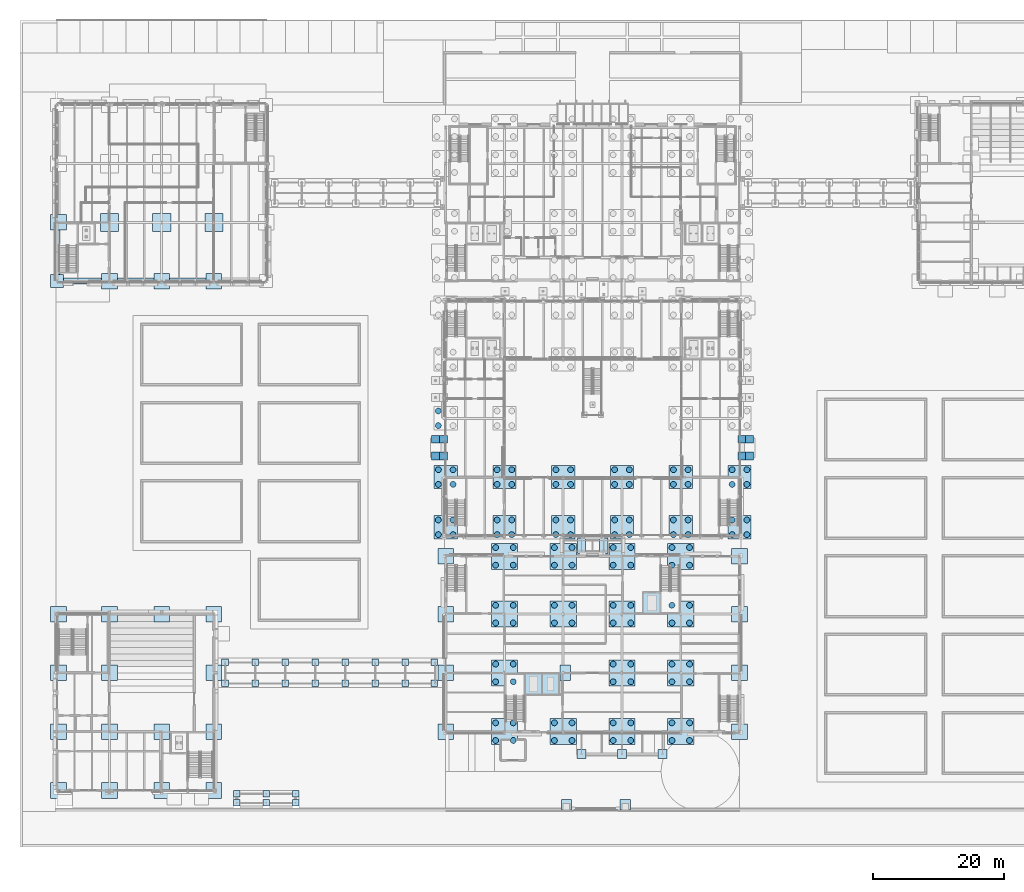
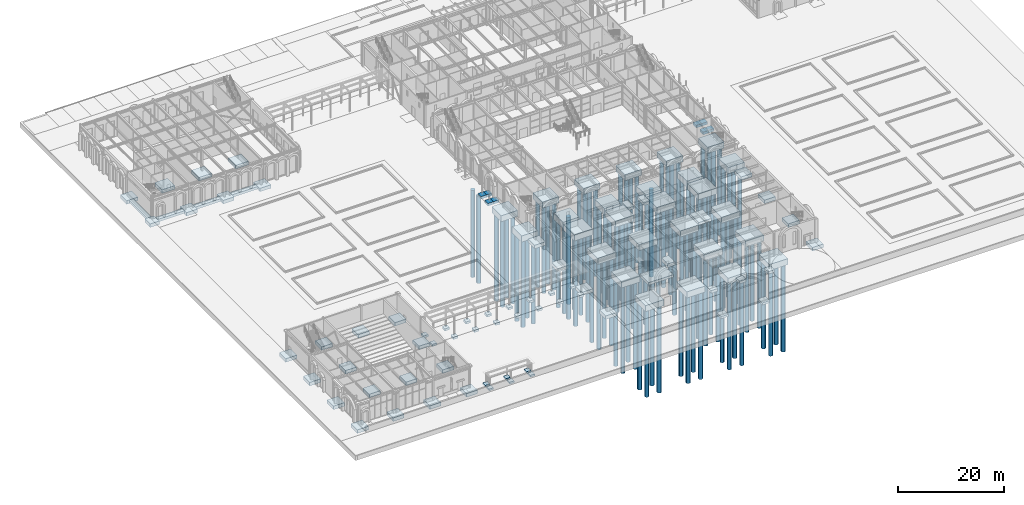
# One storey, part 1 of 126: 110 piles, 102 footings.
"""IFC4 building model written with IfcOpenShell, lengths in metres."""

from ifc_helpers import new_model, si_unit, direction, frame, origin, origin_2d, place, context, subcontext, project, spatial, rectangle, circle, extrude, material, type_object, element, save


model = new_model("IFC4")

# Units and contexts
model_context = context("Model", 3, precision=1e-05, world=origin(), true_north=direction((0.0, 1.0)))
body_context = subcontext(model_context, "Body", "Model", "MODEL_VIEW")
ifc_project = project(units=[si_unit("LENGTHUNIT", "METRE"), si_unit("AREAUNIT", "SQUARE_METRE"), si_unit("VOLUMEUNIT", "CUBIC_METRE"), si_unit("PLANEANGLEUNIT", "RADIAN"), si_unit("MASSUNIT", "GRAM", prefix="KILO")], contexts=[model_context])

# Site, building, storey
site_placement = place(None, origin())
site = spatial("IfcSite", under=ifc_project, at=site_placement, CompositionType="ELEMENT")
building_placement = place(site_placement, origin())
building = spatial("IfcBuilding", under=site, at=building_placement, Name="Kallimachos Central Library", CompositionType="ELEMENT")
storey_placement = place(building_placement, origin())
storey = spatial("IfcBuildingStorey", under=building, at=storey_placement, Name="L00", CompositionType="ELEMENT", Elevation=0.0)

# Piles
ifc_material_1 = material(Name="Concrete C30/37", Category="concrete")
pile_type = type_object("IfcPileType", Name="Bored pile D900", PredefinedType="BORED", material=ifc_material_1)
for number, where, z_axis, x_axis, name in (
    (1, (73.14990234375, 16.64990234375, -1.60009765625), (0.0, 0.0, -1.0), (1.0, 0.0, 0.0), "V5-PIL-L00-001"),
    (2, (73.14990234375, 19.35009765625, -1.60009765625), (0.0, 0.0, -1.0), (1.0, 0.0, 0.0), "V5-PIL-L00-002"),
    (3, (75.85009765625, 16.64990234375, -1.60009765625), (0.0, 0.0, -1.0), (1.0, 0.0, 0.0), "V5-PIL-L00-003"),
    (4, (75.85009765625, 19.35009765625, -1.60009765625), (0.0, 0.0, -1.0), (1.0, 0.0, 0.0), "V5-PIL-L00-004"),
    (5, (82.14990234375, 16.64990234375, -1.60009765625), (0.0, 0.0, -1.0), (1.0, 0.0, 0.0), "V5-PIL-L00-005"),
    (6, (82.14990234375, 19.35009765625, -1.60009765625), (0.0, 0.0, -1.0), (1.0, 0.0, 0.0), "V5-PIL-L00-006"),
    (7, (84.85009765625, 16.64990234375, -1.60009765625), (0.0, 0.0, -1.0), (1.0, 0.0, 0.0), "V5-PIL-L00-007"),
    (8, (84.85009765625, 19.35009765625, -1.60009765625), (0.0, 0.0, -1.0), (1.0, 0.0, 0.0), "V5-PIL-L00-008"),
    (9, (91.14990234375, 16.64990234375, -1.60009765625), (0.0, 0.0, -1.0), (1.0, 0.0, 0.0), "V5-PIL-L00-009"),
    (10, (91.14990234375, 19.35009765625, -1.60009765625), (0.0, 0.0, -1.0), (1.0, 0.0, 0.0), "V5-PIL-L00-010"),
    (11, (93.85009765625, 16.64990234375, -1.60009765625), (0.0, 0.0, -1.0), (1.0, 0.0, 0.0), "V5-PIL-L00-011"),
    (12, (93.85009765625, 19.35009765625, -1.60009765625), (0.0, 0.0, -1.0), (1.0, 0.0, 0.0), "V5-PIL-L00-012"),
    (13, (100.14990234375, 16.64990234375, -1.60009765625), (0.0, 0.0, -1.0), (1.0, 0.0, 0.0), "V5-PIL-L00-013"),
    (14, (100.14990234375, 19.35009765625, -1.60009765625), (0.0, 0.0, -1.0), (1.0, 0.0, 0.0), "V5-PIL-L00-014"),
    (15, (102.85009765625, 16.64990234375, -1.60009765625), (0.0, 0.0, -1.0), (1.0, 0.0, 0.0), "V5-PIL-L00-015"),
    (16, (102.85009765625, 19.35009765625, -1.60009765625), (0.0, 0.0, -1.0), (1.0, 0.0, 0.0), "V5-PIL-L00-016"),
    (17, (73.14990234375, 25.64990234375, -1.60009765625), (0.0, 0.0, -1.0), (1.0, 0.0, 0.0), "V5-PIL-L00-017"),
    (18, (73.14990234375, 28.35009765625, -1.60009765625), (0.0, 0.0, -1.0), (1.0, 0.0, 0.0), "V5-PIL-L00-018"),
    (19, (75.85009765625, 25.64990234375, -1.60009765625), (0.0, 0.0, -1.0), (1.0, 0.0, 0.0), "V5-PIL-L00-019"),
    (20, (75.85009765625, 28.35009765625, -1.60009765625), (0.0, 0.0, -1.0), (1.0, 0.0, 0.0), "V5-PIL-L00-020"),
    (21, (91.14990234375, 25.64990234375, -1.60009765625), (0.0, 0.0, -1.0), (1.0, 0.0, 0.0), "V5-PIL-L00-021"),
    (22, (91.14990234375, 28.35009765625, -1.60009765625), (0.0, 0.0, -1.0), (1.0, 0.0, 0.0), "V5-PIL-L00-022"),
    (23, (93.85009765625, 25.64990234375, -1.60009765625), (0.0, 0.0, -1.0), (1.0, 0.0, 0.0), "V5-PIL-L00-023"),
    (24, (93.85009765625, 28.35009765625, -1.60009765625), (0.0, 0.0, -1.0), (1.0, 0.0, 0.0), "V5-PIL-L00-024"),
    (25, (100.14990234375, 25.64990234375, -1.60009765625), (0.0, 0.0, -1.0), (1.0, 0.0, 0.0), "V5-PIL-L00-025"),
    (26, (100.14990234375, 28.35009765625, -1.60009765625), (0.0, 0.0, -1.0), (1.0, 0.0, 0.0), "V5-PIL-L00-026"),
    (27, (102.85009765625, 25.64990234375, -1.60009765625), (0.0, 0.0, -1.0), (1.0, 0.0, 0.0), "V5-PIL-L00-027"),
    (28, (102.85009765625, 28.35009765625, -1.60009765625), (0.0, 0.0, -1.0), (1.0, 0.0, 0.0), "V5-PIL-L00-028"),
    (29, (73.14990234375, 34.64990234375, -1.60009765625), (0.0, 0.0, -1.0), (1.0, 0.0, 0.0), "V5-PIL-L00-029"),
    (30, (73.14990234375, 37.35009765625, -1.60009765625), (0.0, 0.0, -1.0), (1.0, 0.0, 0.0), "V5-PIL-L00-030"),
    (31, (75.85009765625, 34.64990234375, -1.60009765625), (0.0, 0.0, -1.0), (1.0, 0.0, 0.0), "V5-PIL-L00-031"),
    (32, (75.85009765625, 37.35009765625, -1.60009765625), (0.0, 0.0, -1.0), (1.0, 0.0, 0.0), "V5-PIL-L00-032"),
    (33, (82.14990234375, 34.64990234375, -1.60009765625), (0.0, 0.0, -1.0), (1.0, 0.0, 0.0), "V5-PIL-L00-033"),
    (34, (82.14990234375, 37.35009765625, -1.60009765625), (0.0, 0.0, -1.0), (1.0, 0.0, 0.0), "V5-PIL-L00-034"),
    (35, (84.85009765625, 34.64990234375, -1.60009765625), (0.0, 0.0, -1.0), (1.0, 0.0, 0.0), "V5-PIL-L00-035"),
    (36, (84.85009765625, 37.35009765625, -1.60009765625), (0.0, 0.0, -1.0), (1.0, 0.0, 0.0), "V5-PIL-L00-036"),
    (37, (91.14990234375, 34.64990234375, -1.60009765625), (0.0, 0.0, -1.0), (1.0, 0.0, 0.0), "V5-PIL-L00-037"),
    (38, (91.14990234375, 37.35009765625, -1.60009765625), (0.0, 0.0, -1.0), (1.0, 0.0, 0.0), "V5-PIL-L00-038"),
    (39, (93.85009765625, 34.64990234375, -1.60009765625), (0.0, 0.0, -1.0), (1.0, 0.0, 0.0), "V5-PIL-L00-039"),
    (40, (93.85009765625, 37.35009765625, -1.60009765625), (0.0, 0.0, -1.0), (1.0, 0.0, 0.0), "V5-PIL-L00-040"),
    (41, (100.14990234375, 34.64990234375, -1.60009765625), (0.0, 0.0, -1.0), (1.0, 0.0, 0.0), "V5-PIL-L00-041"),
    (42, (100.14990234375, 37.35009765625, -1.60009765625), (0.0, 0.0, -1.0), (1.0, 0.0, 0.0), "V5-PIL-L00-042"),
    (43, (102.85009765625, 34.64990234375, -1.60009765625), (0.0, 0.0, -1.0), (1.0, 0.0, 0.0), "V5-PIL-L00-043"),
    (44, (102.85009765625, 37.35009765625, -1.60009765625), (0.0, 0.0, -1.0), (1.0, 0.0, 0.0), "V5-PIL-L00-044"),
    (45, (73.14990234375, 43.5, -1.60009765625), (0.0, 0.0, -1.0), (1.0, 0.0, 0.0), "V5-PIL-L00-045"),
    (46, (73.14990234375, 46.199951171875, -1.60009765625), (0.0, 0.0, -1.0), (1.0, 0.0, 0.0), "V5-PIL-L00-046"),
    (47, (75.85009765625, 43.5, -1.60009765625), (0.0, 0.0, -1.0), (1.0, 0.0, 0.0), "V5-PIL-L00-047"),
    (48, (75.85009765625, 46.199951171875, -1.60009765625), (0.0, 0.0, -1.0), (1.0, 0.0, 0.0), "V5-PIL-L00-048"),
    (49, (82.14990234375, 43.5, -1.60009765625), (0.0, 0.0, -1.0), (1.0, 0.0, 0.0), "V5-PIL-L00-049"),
    (50, (82.14990234375, 46.199951171875, -1.60009765625), (0.0, 0.0, -1.0), (1.0, 0.0, 0.0), "V5-PIL-L00-050"),
    (51, (84.85009765625, 43.5, -1.60009765625), (0.0, 0.0, -1.0), (1.0, 0.0, 0.0), "V5-PIL-L00-051"),
    (52, (84.85009765625, 46.199951171875, -1.60009765625), (0.0, 0.0, -1.0), (1.0, 0.0, 0.0), "V5-PIL-L00-052"),
    (53, (91.14990234375, 43.5, -1.60009765625), (0.0, 0.0, -1.0), (1.0, 0.0, 0.0), "V5-PIL-L00-053"),
    (54, (91.14990234375, 46.199951171875, -1.60009765625), (0.0, 0.0, -1.0), (1.0, 0.0, 0.0), "V5-PIL-L00-054"),
    (55, (93.85009765625, 43.5, -1.60009765625), (0.0, 0.0, -1.0), (1.0, 0.0, 0.0), "V5-PIL-L00-055"),
    (56, (93.85009765625, 46.199951171875, -1.60009765625), (0.0, 0.0, -1.0), (1.0, 0.0, 0.0), "V5-PIL-L00-056"),
    (57, (100.14990234375, 43.5, -1.60009765625), (0.0, 0.0, -1.0), (1.0, 0.0, 0.0), "V5-PIL-L00-057"),
    (58, (100.14990234375, 46.199951171875, -1.60009765625), (0.0, 0.0, -1.0), (1.0, 0.0, 0.0), "V5-PIL-L00-058"),
    (59, (102.85009765625, 43.5, -1.60009765625), (0.0, 0.0, -1.0), (1.0, 0.0, 0.0), "V5-PIL-L00-059"),
    (60, (102.85009765625, 46.199951171875, -1.60009765625), (0.0, 0.0, -1.0), (1.0, 0.0, 0.0), "V5-PIL-L00-060"),
    (61, (64.375, 48.175048828125, -1.60009765625), (0.0, 0.0, -1.0), (1.0, 0.0, 0.0), "V4-PIL-L00-001"),
    (62, (64.375, 50.425048828125, -1.60009765625), (0.0, 0.0, -1.0), (1.0, 0.0, 0.0), "V4-PIL-L00-002"),
    (63, (66.625, 48.175048828125, -1.60009765625), (0.0, 0.0, -1.0), (1.0, 0.0, 0.0), "V4-PIL-L00-003"),
    (64, (66.625, 50.425048828125, -1.60009765625), (0.0, 0.0, -1.0), (1.0, 0.0, 0.0), "V4-PIL-L00-004"),
    (65, (73.375, 48.175048828125, -1.60009765625), (0.0, 0.0, -1.0), (1.0, 0.0, 0.0), "V4-PIL-L00-005"),
    (66, (73.375, 50.425048828125, -1.60009765625), (0.0, 0.0, -1.0), (1.0, 0.0, 0.0), "V4-PIL-L00-006"),
    (67, (75.625, 48.175048828125, -1.60009765625), (0.0, 0.0, -1.0), (1.0, 0.0, 0.0), "V4-PIL-L00-007"),
    (68, (75.625, 50.425048828125, -1.60009765625), (0.0, 0.0, -1.0), (1.0, 0.0, 0.0), "V4-PIL-L00-008"),
    (69, (82.375, 48.175048828125, -1.60009765625), (0.0, 0.0, -1.0), (1.0, 0.0, 0.0), "V4-PIL-L00-009"),
    (70, (82.375, 50.425048828125, -1.60009765625), (0.0, 0.0, -1.0), (1.0, 0.0, 0.0), "V4-PIL-L00-010"),
    (71, (84.625, 48.175048828125, -1.60009765625), (0.0, 0.0, -1.0), (1.0, 0.0, 0.0), "V4-PIL-L00-011"),
    (72, (84.625, 50.425048828125, -1.60009765625), (0.0, 0.0, -1.0), (1.0, 0.0, 0.0), "V4-PIL-L00-012"),
    (73, (91.375, 48.175048828125, -1.60009765625), (0.0, 0.0, -1.0), (1.0, 0.0, 0.0), "V4-PIL-L00-013"),
    (74, (91.375, 50.425048828125, -1.60009765625), (0.0, 0.0, -1.0), (1.0, 0.0, 0.0), "V4-PIL-L00-014"),
    (75, (93.625, 48.175048828125, -1.60009765625), (0.0, 0.0, -1.0), (1.0, 0.0, 0.0), "V4-PIL-L00-015"),
    (76, (93.625, 50.425048828125, -1.60009765625), (0.0, 0.0, -1.0), (1.0, 0.0, 0.0), "V4-PIL-L00-016"),
    (77, (100.375, 48.175048828125, -1.60009765625), (0.0, 0.0, -1.0), (1.0, 0.0, 0.0), "V4-PIL-L00-017"),
    (78, (100.375, 50.425048828125, -1.60009765625), (0.0, 0.0, -1.0), (1.0, 0.0, 0.0), "V4-PIL-L00-018"),
    (79, (102.625, 48.175048828125, -1.60009765625), (0.0, 0.0, -1.0), (1.0, 0.0, 0.0), "V4-PIL-L00-019"),
    (80, (102.625, 50.425048828125, -1.60009765625), (0.0, 0.0, -1.0), (1.0, 0.0, 0.0), "V4-PIL-L00-020"),
    (81, (109.375, 48.175048828125, -1.60009765625), (0.0, 0.0, -1.0), (1.0, 0.0, 0.0), "V4-PIL-L00-021"),
    (82, (109.375, 50.425048828125, -1.60009765625), (0.0, 0.0, -1.0), (1.0, 0.0, 0.0), "V4-PIL-L00-022"),
    (83, (111.625, 48.175048828125, -1.60009765625), (0.0, 0.0, -1.0), (1.0, 0.0, 0.0), "V4-PIL-L00-023"),
    (84, (111.625, 50.425048828125, -1.60009765625), (0.0, 0.0, -1.0), (1.0, 0.0, 0.0), "V4-PIL-L00-024"),
    (85, (64.375, 55.875, -1.60009765625), (0.0, 0.0, -1.0), (1.0, 0.0, 0.0), "V4-PIL-L00-025"),
    (86, (64.375, 58.125, -1.60009765625), (0.0, 0.0, -1.0), (1.0, 0.0, 0.0), "V4-PIL-L00-026"),
    (87, (66.625, 55.875, -1.60009765625), (0.0, 0.0, -1.0), (1.0, 0.0, 0.0), "V4-PIL-L00-027"),
    (88, (66.625, 58.125, -1.60009765625), (0.0, 0.0, -1.0), (1.0, 0.0, 0.0), "V4-PIL-L00-028"),
    (89, (73.375, 55.875, -1.60009765625), (0.0, 0.0, -1.0), (1.0, 0.0, 0.0), "V4-PIL-L00-029"),
    (90, (73.375, 58.125, -1.60009765625), (0.0, 0.0, -1.0), (1.0, 0.0, 0.0), "V4-PIL-L00-030"),
    (91, (75.625, 55.875, -1.60009765625), (0.0, 0.0, -1.0), (1.0, 0.0, 0.0), "V4-PIL-L00-031"),
    (92, (75.625, 58.125, -1.60009765625), (0.0, 0.0, -1.0), (1.0, 0.0, 0.0), "V4-PIL-L00-032"),
    (93, (82.375, 55.875, -1.60009765625), (0.0, 0.0, -1.0), (1.0, 0.0, 0.0), "V4-PIL-L00-033"),
    (94, (82.375, 58.125, -1.60009765625), (0.0, 0.0, -1.0), (1.0, 0.0, 0.0), "V4-PIL-L00-034"),
    (95, (84.625, 55.875, -1.60009765625), (0.0, 0.0, -1.0), (1.0, 0.0, 0.0), "V4-PIL-L00-035"),
    (96, (84.625, 58.125, -1.60009765625), (0.0, 0.0, -1.0), (1.0, 0.0, 0.0), "V4-PIL-L00-036"),
    (97, (91.375, 55.875, -1.60009765625), (0.0, 0.0, -1.0), (1.0, 0.0, 0.0), "V4-PIL-L00-037"),
    (98, (91.375, 58.125, -1.60009765625), (0.0, 0.0, -1.0), (1.0, 0.0, 0.0), "V4-PIL-L00-038"),
    (99, (93.625, 55.875, -1.60009765625), (0.0, 0.0, -1.0), (1.0, 0.0, 0.0), "V4-PIL-L00-039"),
    (100, (93.625, 58.125, -1.60009765625), (0.0, 0.0, -1.0), (1.0, 0.0, 0.0), "V4-PIL-L00-040"),
    (101, (100.375, 55.875, -1.60009765625), (0.0, 0.0, -1.0), (1.0, 0.0, 0.0), "V4-PIL-L00-041"),
    (102, (100.375, 58.125, -1.60009765625), (0.0, 0.0, -1.0), (1.0, 0.0, 0.0), "V4-PIL-L00-042"),
    (103, (102.625, 55.875, -1.60009765625), (0.0, 0.0, -1.0), (1.0, 0.0, 0.0), "V4-PIL-L00-043"),
    (104, (102.625, 58.125, -1.60009765625), (0.0, 0.0, -1.0), (1.0, 0.0, 0.0), "V4-PIL-L00-044"),
    (105, (109.375, 55.875, -1.60009765625), (0.0, 0.0, -1.0), (1.0, 0.0, 0.0), "V4-PIL-L00-045"),
    (106, (109.375, 58.125, -1.60009765625), (0.0, 0.0, -1.0), (1.0, 0.0, 0.0), "V4-PIL-L00-046"),
    (107, (111.625, 55.875, -1.60009765625), (0.0, 0.0, -1.0), (1.0, 0.0, 0.0), "V4-PIL-L00-047"),
    (108, (111.625, 58.125, -1.60009765625), (0.0, 0.0, -1.0), (1.0, 0.0, 0.0), "V4-PIL-L00-048"),
    (109, (64.375, 64.875, -1.60009765625), (0.0, 0.0, -1.0), (1.0, 0.0, 0.0), "V4-PIL-L00-049"),
    (110, (64.375, 67.125, -1.60009765625), (0.0, 0.0, -1.0), (1.0, 0.0, 0.0), "V4-PIL-L00-050"),
):
    element("IfcPile", number, at=place(storey_placement, frame(where, z_axis=z_axis, x_axis=x_axis)), inside=storey, type_object=pile_type, Name=name, PredefinedType="BORED", context=body_context, shape_type="SweptSolid", body=[
        extrude(circle(Radius=0.449951171875, at=origin_2d()), origin(), (0.0, 0.0, 1.0), 20.10009765625),
    ])

# Footings
ifc_material_2 = material(Name="Concrete C30/37", Category="concrete")
footing_type_1 = type_object("IfcFootingType", Name="Gate pier footing 1600 x 1600 x 500", PredefinedType="PAD_FOOTING", material=ifc_material_2)
for number, where, z_axis, x_axis, name in (
    (111, (84.0, 6.800048828125, -1.0), (0.0, 0.0, 1.0), (1.0, 0.0, 0.0), "Gate pier footing West"),
    (112, (93.0, 6.800048828125, -1.0), (0.0, 0.0, 1.0), (1.0, 0.0, 0.0), "Gate pier footing East"),
):
    element("IfcFooting", number, at=place(storey_placement, frame(where, z_axis=z_axis, x_axis=x_axis)), inside=storey, type_object=footing_type_1, Name=name, PredefinedType="PAD_FOOTING", context=body_context, shape_type="SweptSolid", body=[
        extrude(rectangle(XDim=1.60009765625, YDim=1.60009765625, at=origin_2d()), origin(), (0.0, 0.0, 1.0), 0.5),
    ])
ifc_material_3 = material(Name="Concrete C30/37", Category="concrete")
footing_type_2 = type_object("IfcFootingType", Name="Pad footing 1000 x 1000 x 400", PredefinedType="PAD_FOOTING", material=ifc_material_3)
for number, where, z_axis, x_axis, name in (
    (113, (33.5, 7.10009765625, -0.39990234375), (0.0, 0.0, 1.0), (1.0, 0.0, 0.0), "Cycle shelter footing"),
    (114, (38.0, 7.10009765625, -0.39990234375), (0.0, 0.0, 1.0), (1.0, 0.0, 0.0), "Cycle shelter footing"),
    (115, (42.5, 7.10009765625, -0.39990234375), (0.0, 0.0, 1.0), (1.0, 0.0, 0.0), "Cycle shelter footing"),
    (116, (33.5, 8.5, -0.39990234375), (0.0, 0.0, 1.0), (1.0, 0.0, 0.0), "Cycle shelter footing"),
    (117, (38.0, 8.5, -0.39990234375), (0.0, 0.0, 1.0), (1.0, 0.0, 0.0), "Cycle shelter footing"),
    (118, (42.5, 8.5, -0.39990234375), (0.0, 0.0, 1.0), (1.0, 0.0, 0.0), "Cycle shelter footing"),
):
    element("IfcFooting", number, at=place(storey_placement, frame(where, z_axis=z_axis, x_axis=x_axis)), inside=storey, type_object=footing_type_2, Name=name, PredefinedType="PAD_FOOTING", context=body_context, shape_type="SweptSolid", body=[
        extrude(rectangle(XDim=1.0, YDim=1.0, at=origin_2d()), origin(), (0.0, 0.0, 1.0), 0.39990234375),
    ])
ifc_material_4 = material(Name="Concrete C30/37", Category="concrete")
footing_type_3 = type_object("IfcFootingType", Name="Pad footing 1000 x 1000 x 500", PredefinedType="PAD_FOOTING", material=ifc_material_4)
for number, where, z_axis, x_axis, name in (
    (119, (31.699951171875, 25.39990234375, -0.64990234375), (0.0, 0.0, 1.0), (1.0, 0.0, 0.0), "Arcade A3 footing"),
    (120, (31.699951171875, 28.60009765625, -0.64990234375), (0.0, 0.0, 1.0), (1.0, 0.0, 0.0), "Arcade A3 footing"),
    (121, (36.300048828125, 25.39990234375, -0.64990234375), (0.0, 0.0, 1.0), (1.0, 0.0, 0.0), "Arcade A3 footing"),
    (122, (36.300048828125, 28.60009765625, -0.64990234375), (0.0, 0.0, 1.0), (1.0, 0.0, 0.0), "Arcade A3 footing"),
    (123, (40.89990234375, 25.39990234375, -0.64990234375), (0.0, 0.0, 1.0), (1.0, 0.0, 0.0), "Arcade A3 footing"),
    (124, (40.89990234375, 28.60009765625, -0.64990234375), (0.0, 0.0, 1.0), (1.0, 0.0, 0.0), "Arcade A3 footing"),
    (125, (45.5, 25.39990234375, -0.64990234375), (0.0, 0.0, 1.0), (1.0, 0.0, 0.0), "Arcade A3 footing"),
    (126, (45.5, 28.60009765625, -0.64990234375), (0.0, 0.0, 1.0), (1.0, 0.0, 0.0), "Arcade A3 footing"),
    (127, (50.10009765625, 25.39990234375, -0.64990234375), (0.0, 0.0, 1.0), (1.0, 0.0, 0.0), "Arcade A3 footing"),
    (128, (50.10009765625, 28.60009765625, -0.64990234375), (0.0, 0.0, 1.0), (1.0, 0.0, 0.0), "Arcade A3 footing"),
    (129, (54.699951171875, 25.39990234375, -0.64990234375), (0.0, 0.0, 1.0), (1.0, 0.0, 0.0), "Arcade A3 footing"),
    (130, (54.699951171875, 28.60009765625, -0.64990234375), (0.0, 0.0, 1.0), (1.0, 0.0, 0.0), "Arcade A3 footing"),
    (131, (59.300048828125, 25.39990234375, -0.64990234375), (0.0, 0.0, 1.0), (1.0, 0.0, 0.0), "Arcade A3 footing"),
    (132, (59.300048828125, 28.60009765625, -0.64990234375), (0.0, 0.0, 1.0), (1.0, 0.0, 0.0), "Arcade A3 footing"),
    (133, (63.75, 25.39990234375, -0.64990234375), (0.0, 0.0, 1.0), (1.0, 0.0, 0.0), "Arcade A3 footing"),
    (134, (63.75, 28.60009765625, -0.64990234375), (0.0, 0.0, 1.0), (1.0, 0.0, 0.0), "Arcade A3 footing"),
):
    element("IfcFooting", number, at=place(storey_placement, frame(where, z_axis=z_axis, x_axis=x_axis)), inside=storey, type_object=footing_type_3, Name=name, PredefinedType="PAD_FOOTING", context=body_context, shape_type="SweptSolid", body=[
        extrude(rectangle(XDim=1.0, YDim=1.0, at=origin_2d()), origin(), (0.0, 0.0, 1.0), 0.5),
    ])
ifc_material_5 = material(Name="Concrete C30/37", Category="concrete")
footing_type_4 = type_object("IfcFootingType", Name="Pad footing 1200 x 1200 x 600", PredefinedType="PAD_FOOTING", material=ifc_material_5)
for number, where, z_axis, x_axis, name in (
    (135, (65.14990234375, 60.199951171875, -0.60009765625), (0.0, 0.0, 1.0), (1.0, 0.0, 0.0), "Tribune bay W1 footing 1"),
    (136, (65.14990234375, 62.800048828125, -0.60009765625), (0.0, 0.0, 1.0), (1.0, 0.0, 0.0), "Tribune bay W1 footing 2"),
    (137, (63.949951171875, 60.199951171875, -0.60009765625), (0.0, 0.0, 1.0), (1.0, 0.0, 0.0), "Tribune bay W1 footing 3"),
    (138, (63.949951171875, 62.800048828125, -0.60009765625), (0.0, 0.0, 1.0), (1.0, 0.0, 0.0), "Tribune bay W1 footing 4"),
    (139, (110.85009765625, 60.199951171875, -0.60009765625), (0.0, 0.0, 1.0), (1.0, 0.0, 0.0), "Tribune bay E1 footing 1"),
    (140, (110.85009765625, 62.800048828125, -0.60009765625), (0.0, 0.0, 1.0), (1.0, 0.0, 0.0), "Tribune bay E1 footing 2"),
    (141, (112.050048828125, 60.199951171875, -0.60009765625), (0.0, 0.0, 1.0), (1.0, 0.0, 0.0), "Tribune bay E1 footing 3"),
    (142, (112.050048828125, 62.800048828125, -0.60009765625), (0.0, 0.0, 1.0), (1.0, 0.0, 0.0), "Tribune bay E1 footing 4"),
):
    element("IfcFooting", number, at=place(storey_placement, frame(where, z_axis=z_axis, x_axis=x_axis)), inside=storey, type_object=footing_type_4, Name=name, PredefinedType="PAD_FOOTING", context=body_context, shape_type="SweptSolid", body=[
        extrude(rectangle(XDim=1.199951171875, YDim=1.199951171875, at=origin_2d()), origin(), (0.0, 0.0, 1.0), 0.60009765625),
    ])
ifc_material_6 = material(Name="Concrete C30/37", Category="concrete")
footing_type_5 = type_object("IfcFootingType", Name="Pad footing 1300 x 2400 x 600", PredefinedType="PAD_FOOTING", material=ifc_material_6)
for number, where, z_axis, x_axis, name in (
    (143, (86.300048828125, 46.5, -0.800048828125), (0.0, 0.0, 1.0), (1.0, 0.0, 0.0), "Stacks Link footing"),
    (144, (89.699951171875, 46.5, -0.800048828125), (0.0, 0.0, 1.0), (1.0, 0.0, 0.0), "Stacks Link footing"),
):
    element("IfcFooting", number, at=place(storey_placement, frame(where, z_axis=z_axis, x_axis=x_axis)), inside=storey, type_object=footing_type_5, Name=name, PredefinedType="PAD_FOOTING", context=body_context, shape_type="SweptSolid", body=[
        extrude(rectangle(XDim=1.300048828125, YDim=2.39990234375, at=origin_2d()), origin(), (0.0, 0.0, 1.0), 0.60009765625),
    ])
ifc_material_7 = material(Name="Concrete C30/37", Category="concrete")
footing_type_6 = type_object("IfcFootingType", Name="Pad footing 1400 x 1400 x 600", PredefinedType="PAD_FOOTING", material=ifc_material_7)
for number, where, z_axis, x_axis, name in (
    (145, (86.300048828125, 14.60009765625, -0.75), (0.0, 0.0, 1.0), (1.0, 0.0, 0.0), "V5-FTG-L00-027"),
    (146, (92.5, 14.60009765625, -0.75), (0.0, 0.0, 1.0), (1.0, 0.0, 0.0), "V5-FTG-L00-028"),
    (147, (98.699951171875, 14.60009765625, -0.75), (0.0, 0.0, 1.0), (1.0, 0.0, 0.0), "V5-FTG-L00-029"),
):
    element("IfcFooting", number, at=place(storey_placement, frame(where, z_axis=z_axis, x_axis=x_axis)), inside=storey, type_object=footing_type_6, Name=name, PredefinedType="PAD_FOOTING", context=body_context, shape_type="SweptSolid", body=[
        extrude(rectangle(XDim=1.39990234375, YDim=1.39990234375, at=origin_2d()), origin(), (0.0, 0.0, 1.0), 0.60009765625),
    ])
ifc_material_8 = material(Name="Concrete C30/37", Category="concrete")
footing_type_7 = type_object("IfcFootingType", Name="Pad footing 1600 x 2400 x 800", PredefinedType="PAD_FOOTING", material=ifc_material_8)
footing_1_placement = place(storey_placement, frame((83.800048828125, 27.0, -1.10009765625), z_axis=(0.0, 0.0, 1.0), x_axis=(1.0, 0.0, 0.0)))
element("IfcFooting", 148, at=footing_1_placement, inside=storey, type_object=footing_type_7, Name="V5-FTG-L00-009", PredefinedType="PAD_FOOTING", context=body_context, shape_type="SweptSolid", body=[
    extrude(rectangle(XDim=1.60009765625, YDim=2.39990234375, at=origin_2d()), origin(), (0.0, 0.0, 1.0), 0.800048828125),
])
ifc_material_9 = material(Name="Concrete C30/37", Category="concrete")
footing_type_8 = type_object("IfcFootingType", Name="Pad footing 2000x2000x800", PredefinedType="PAD_FOOTING", material=ifc_material_9)
footing_2_placement = place(storey_placement, frame((6.0, 87.0, -1.10009765625), z_axis=(0.0, 0.0, 1.0), x_axis=(1.0, 0.0, 0.0)))
element("IfcFooting", 149, at=footing_2_placement, inside=storey, type_object=footing_type_8, Name="V2-FTG-L00-001", PredefinedType="PAD_FOOTING", context=body_context, shape_type="SweptSolid", body=[
    extrude(rectangle(XDim=2.0, YDim=2.0, at=origin_2d()), origin(), (0.0, 0.0, 1.0), 0.800048828125),
])
ifc_material_10 = material(Name="Concrete C30/37", Category="concrete")
footing_type_9 = type_object("IfcFootingType", Name="Pad footing 2400 x 2400 x 800", PredefinedType="PAD_FOOTING", material=ifc_material_10)
for number, where, z_axis, x_axis, name in (
    (150, (65.5, 18.0, -1.10009765625), (0.0, 0.0, 1.0), (1.0, 0.0, 0.0), "V5-FTG-L00-001"),
    (151, (110.5, 18.0, -1.10009765625), (0.0, 0.0, 1.0), (1.0, 0.0, 0.0), "V5-FTG-L00-006"),
    (152, (65.5, 27.0, -1.10009765625), (0.0, 0.0, 1.0), (1.0, 0.0, 0.0), "V5-FTG-L00-007"),
    (153, (110.5, 27.0, -1.10009765625), (0.0, 0.0, 1.0), (1.0, 0.0, 0.0), "V5-FTG-L00-012"),
    (154, (65.5, 36.0, -1.10009765625), (0.0, 0.0, 1.0), (1.0, 0.0, 0.0), "V5-FTG-L00-013"),
    (155, (110.5, 36.0, -1.10009765625), (0.0, 0.0, 1.0), (1.0, 0.0, 0.0), "V5-FTG-L00-018"),
    (156, (65.5, 44.85009765625, -1.10009765625), (0.0, 0.0, 1.0), (1.0, 0.0, 0.0), "V5-FTG-L00-019"),
    (157, (110.5, 44.85009765625, -1.10009765625), (0.0, 0.0, 1.0), (1.0, 0.0, 0.0), "V5-FTG-L00-024"),
    (158, (6.199951171875, 9.0, -1.10009765625), (0.0, 0.0, 1.0), (1.0, 0.0, 0.0), "V6-FTG-L00-001"),
    (159, (6.199951171875, 18.0, -1.10009765625), (0.0, 0.0, 1.0), (1.0, 0.0, 0.0), "V6-FTG-L00-002"),
    (160, (6.199951171875, 27.0, -1.10009765625), (0.0, 0.0, 1.0), (1.0, 0.0, 0.0), "V6-FTG-L00-003"),
    (161, (6.199951171875, 36.0, -1.10009765625), (0.0, 0.0, 1.0), (1.0, 0.0, 0.0), "V6-FTG-L00-004"),
    (162, (14.0, 9.0, -1.10009765625), (0.0, 0.0, 1.0), (1.0, 0.0, 0.0), "V6-FTG-L00-005"),
    (163, (14.0, 18.0, -1.10009765625), (0.0, 0.0, 1.0), (1.0, 0.0, 0.0), "V6-FTG-L00-006"),
    (164, (14.0, 27.0, -1.10009765625), (0.0, 0.0, 1.0), (1.0, 0.0, 0.0), "V6-FTG-L00-007"),
    (165, (14.0, 36.0, -1.10009765625), (0.0, 0.0, 1.0), (1.0, 0.0, 0.0), "V6-FTG-L00-008"),
    (166, (22.0, 9.0, -1.10009765625), (0.0, 0.0, 1.0), (1.0, 0.0, 0.0), "V6-FTG-L00-009"),
    (167, (22.0, 18.0, -1.10009765625), (0.0, 0.0, 1.0), (1.0, 0.0, 0.0), "V6-FTG-L00-010"),
    (168, (22.0, 36.0, -1.10009765625), (0.0, 0.0, 1.0), (1.0, 0.0, 0.0), "V6-FTG-L00-011"),
    (169, (30.0, 9.0, -1.10009765625), (0.0, 0.0, 1.0), (1.0, 0.0, 0.0), "V6-FTG-L00-012"),
    (170, (30.0, 18.0, -1.10009765625), (0.0, 0.0, 1.0), (1.0, 0.0, 0.0), "V6-FTG-L00-013"),
    (171, (30.0, 27.0, -1.10009765625), (0.0, 0.0, 1.0), (1.0, 0.0, 0.0), "V6-FTG-L00-014"),
    (172, (30.0, 36.0, -1.10009765625), (0.0, 0.0, 1.0), (1.0, 0.0, 0.0), "V6-FTG-L00-015"),
):
    element("IfcFooting", number, at=place(storey_placement, frame(where, z_axis=z_axis, x_axis=x_axis)), inside=storey, type_object=footing_type_9, Name=name, PredefinedType="PAD_FOOTING", context=body_context, shape_type="SweptSolid", body=[
        extrude(rectangle(XDim=2.39990234375, YDim=2.39990234375, at=origin_2d()), origin(), (0.0, 0.0, 1.0), 0.800048828125),
    ])
ifc_material_11 = material(Name="Concrete C30/37", Category="concrete")
footing_type_10 = type_object("IfcFootingType", Name="Pad footing 2400x2400x800", PredefinedType="PAD_FOOTING", material=ifc_material_11)
for number, where, z_axis, x_axis, name in (
    (173, (6.199951171875, 96.0, -1.10009765625), (0.0, 0.0, 1.0), (1.0, 0.0, 0.0), "V2-FTG-L00-002"),
    (174, (14.0, 87.0, -1.10009765625), (0.0, 0.0, 1.0), (1.0, 0.0, 0.0), "V2-FTG-L00-005"),
    (175, (22.0, 87.0, -1.10009765625), (0.0, 0.0, 1.0), (1.0, 0.0, 0.0), "V2-FTG-L00-009"),
    (176, (30.0, 87.0, -1.10009765625), (0.0, 0.0, 1.0), (1.0, 0.0, 0.0), "V2-FTG-L00-013"),
):
    element("IfcFooting", number, at=place(storey_placement, frame(where, z_axis=z_axis, x_axis=x_axis)), inside=storey, type_object=footing_type_10, Name=name, PredefinedType="PAD_FOOTING", context=body_context, shape_type="SweptSolid", body=[
        extrude(rectangle(XDim=2.39990234375, YDim=2.39990234375, at=origin_2d()), origin(), (0.0, 0.0, 1.0), 0.800048828125),
    ])
ifc_material_12 = material(Name="Concrete C30/37", Category="concrete")
footing_type_11 = type_object("IfcFootingType", Name="Pad footing 2800 x 3400 x 600", PredefinedType="PAD_FOOTING", material=ifc_material_12)
footing_3_placement = place(storey_placement, frame((97.050048828125, 37.699951171875, -2.0), z_axis=(0.0, 0.0, 1.0), x_axis=(1.0, 0.0, 0.0)))
element("IfcFooting", 177, at=footing_3_placement, inside=storey, type_object=footing_type_11, Name="V5-FTG-L00-026", PredefinedType="PAD_FOOTING", context=body_context, shape_type="SweptSolid", body=[
    extrude(rectangle(XDim=2.800048828125, YDim=3.39990234375, at=origin_2d()), origin(), (0.0, 0.0, 1.0), 0.60009765625),
])
ifc_material_13 = material(Name="Concrete C30/37", Category="concrete")
footing_type_12 = type_object("IfcFootingType", Name="Pad footing 2800x2800x800", PredefinedType="PAD_FOOTING", material=ifc_material_13)
for number, where, z_axis, x_axis, name in (
    (178, (14.0, 96.0, -1.10009765625), (0.0, 0.0, 1.0), (1.0, 0.0, 0.0), "V2-FTG-L00-006"),
    (179, (22.0, 96.0, -1.10009765625), (0.0, 0.0, 1.0), (1.0, 0.0, 0.0), "V2-FTG-L00-010"),
    (180, (30.0, 96.0, -1.10009765625), (0.0, 0.0, 1.0), (1.0, 0.0, 0.0), "V2-FTG-L00-014"),
):
    element("IfcFooting", number, at=place(storey_placement, frame(where, z_axis=z_axis, x_axis=x_axis)), inside=storey, type_object=footing_type_12, Name=name, PredefinedType="PAD_FOOTING", context=body_context, shape_type="SweptSolid", body=[
        extrude(rectangle(XDim=2.800048828125, YDim=2.800048828125, at=origin_2d()), origin(), (0.0, 0.0, 1.0), 0.800048828125),
    ])
ifc_material_14 = material(Name="Concrete C30/37", Category="concrete")
footing_type_13 = type_object("IfcFootingType", Name="Pad footing 5400 x 3400 x 600", PredefinedType="PAD_FOOTING", material=ifc_material_14)
footing_4_placement = place(storey_placement, frame((80.25, 25.300048828125, -2.0), z_axis=(0.0, 0.0, 1.0), x_axis=(1.0, 0.0, 0.0)))
element("IfcFooting", 181, at=footing_4_placement, inside=storey, type_object=footing_type_13, Name="V5-FTG-L00-025", PredefinedType="PAD_FOOTING", context=body_context, shape_type="SweptSolid", body=[
    extrude(rectangle(XDim=5.39990234375, YDim=3.39990234375, at=origin_2d()), origin(), (0.0, 0.0, 1.0), 0.60009765625),
])
ifc_material_15 = material(Name="Concrete C35/45", Category="concrete")
footing_type_14 = type_object("IfcFootingType", Name="Pile cap 2x2 D900 3550 x 3550", PredefinedType="PILE_CAP", material=ifc_material_15)
for number, where, z_axis, x_axis, name in (
    (182, (65.5, 49.300048828125, -1.699951171875), (0.0, 0.0, 1.0), (1.0, 0.0, 0.0), "V4-FTG-L00-004"),
    (183, (74.5, 49.300048828125, -1.699951171875), (0.0, 0.0, 1.0), (1.0, 0.0, 0.0), "V4-FTG-L00-005"),
    (184, (83.5, 49.300048828125, -1.699951171875), (0.0, 0.0, 1.0), (1.0, 0.0, 0.0), "V4-FTG-L00-006"),
    (185, (92.5, 49.300048828125, -1.699951171875), (0.0, 0.0, 1.0), (1.0, 0.0, 0.0), "V4-FTG-L00-007"),
    (186, (101.5, 49.300048828125, -1.699951171875), (0.0, 0.0, 1.0), (1.0, 0.0, 0.0), "V4-FTG-L00-008"),
    (187, (110.5, 49.300048828125, -1.699951171875), (0.0, 0.0, 1.0), (1.0, 0.0, 0.0), "V4-FTG-L00-009"),
    (188, (65.5, 57.0, -1.699951171875), (0.0, 0.0, 1.0), (1.0, 0.0, 0.0), "V4-FTG-L00-010"),
    (189, (74.5, 57.0, -1.699951171875), (0.0, 0.0, 1.0), (1.0, 0.0, 0.0), "V4-FTG-L00-011"),
    (190, (83.5, 57.0, -1.699951171875), (0.0, 0.0, 1.0), (1.0, 0.0, 0.0), "V4-FTG-L00-012"),
    (191, (92.5, 57.0, -1.699951171875), (0.0, 0.0, 1.0), (1.0, 0.0, 0.0), "V4-FTG-L00-013"),
    (192, (101.5, 57.0, -1.699951171875), (0.0, 0.0, 1.0), (1.0, 0.0, 0.0), "V4-FTG-L00-014"),
    (193, (110.5, 57.0, -1.699951171875), (0.0, 0.0, 1.0), (1.0, 0.0, 0.0), "V4-FTG-L00-015"),
):
    element("IfcFooting", number, at=place(storey_placement, frame(where, z_axis=z_axis, x_axis=x_axis)), inside=storey, type_object=footing_type_14, Name=name, PredefinedType="PILE_CAP", context=body_context, shape_type="SweptSolid", body=[
        extrude(rectangle(XDim=3.550048828125, YDim=3.550048828125, at=origin_2d()), origin(), (0.0, 0.0, 1.0), 1.39990234375),
    ])
ifc_material_16 = material(Name="Concrete C35/45", Category="concrete")
footing_type_15 = type_object("IfcFootingType", Name="Pile cap 2x2 D900 4000 x 4000", PredefinedType="PILE_CAP", material=ifc_material_16)
for number, where, z_axis, x_axis, name in (
    (194, (74.5, 18.0, -1.699951171875), (0.0, 0.0, 1.0), (1.0, 0.0, 0.0), "V5-FTG-L00-002"),
    (195, (83.5, 18.0, -1.699951171875), (0.0, 0.0, 1.0), (1.0, 0.0, 0.0), "V5-FTG-L00-003"),
    (196, (92.5, 18.0, -1.699951171875), (0.0, 0.0, 1.0), (1.0, 0.0, 0.0), "V5-FTG-L00-004"),
    (197, (101.5, 18.0, -1.699951171875), (0.0, 0.0, 1.0), (1.0, 0.0, 0.0), "V5-FTG-L00-005"),
    (198, (74.5, 27.0, -1.699951171875), (0.0, 0.0, 1.0), (1.0, 0.0, 0.0), "V5-FTG-L00-008"),
    (199, (92.5, 27.0, -1.699951171875), (0.0, 0.0, 1.0), (1.0, 0.0, 0.0), "V5-FTG-L00-010"),
    (200, (101.5, 27.0, -1.699951171875), (0.0, 0.0, 1.0), (1.0, 0.0, 0.0), "V5-FTG-L00-011"),
    (201, (74.5, 36.0, -1.699951171875), (0.0, 0.0, 1.0), (1.0, 0.0, 0.0), "V5-FTG-L00-014"),
    (202, (83.5, 36.0, -1.699951171875), (0.0, 0.0, 1.0), (1.0, 0.0, 0.0), "V5-FTG-L00-015"),
    (203, (92.5, 36.0, -1.699951171875), (0.0, 0.0, 1.0), (1.0, 0.0, 0.0), "V5-FTG-L00-016"),
    (204, (101.5, 36.0, -1.699951171875), (0.0, 0.0, 1.0), (1.0, 0.0, 0.0), "V5-FTG-L00-017"),
    (205, (74.5, 44.85009765625, -1.699951171875), (0.0, 0.0, 1.0), (1.0, 0.0, 0.0), "V5-FTG-L00-020"),
    (206, (83.5, 44.85009765625, -1.699951171875), (0.0, 0.0, 1.0), (1.0, 0.0, 0.0), "V5-FTG-L00-021"),
    (207, (92.5, 44.85009765625, -1.699951171875), (0.0, 0.0, 1.0), (1.0, 0.0, 0.0), "V5-FTG-L00-022"),
    (208, (101.5, 44.85009765625, -1.699951171875), (0.0, 0.0, 1.0), (1.0, 0.0, 0.0), "V5-FTG-L00-023"),
):
    element("IfcFooting", number, at=place(storey_placement, frame(where, z_axis=z_axis, x_axis=x_axis)), inside=storey, type_object=footing_type_15, Name=name, PredefinedType="PILE_CAP", context=body_context, shape_type="SweptSolid", body=[
        extrude(rectangle(XDim=4.0, YDim=4.0, at=origin_2d()), origin(), (0.0, 0.0, 1.0), 1.39990234375),
    ])
ifc_material_17 = material(Name="Concrete C30/37", Category="concrete")
footing_type_16 = type_object("IfcFootingType", Name="Strip footing 900x600", PredefinedType="STRIP_FOOTING", material=ifc_material_17)
footing_5_placement = place(storey_placement, frame((9.89990234375, 87.0, -0.900146484375), z_axis=(0.0, 0.0, 1.0), x_axis=(1.0, 0.0, 0.0)))
element("IfcFooting", 209, at=footing_5_placement, inside=storey, type_object=footing_type_16, Name="V2-FTG-L00-021", PredefinedType="STRIP_FOOTING", context=body_context, shape_type="SweptSolid", body=[
    extrude(rectangle(XDim=5.800048828125, YDim=0.89990234375, at=origin_2d()), origin(), (0.0, 0.0, 1.0), 0.60009765625),
])
for number, where, z_axis, x_axis, name in (
    (210, (18.0, 87.0, -0.900146484375), (0.0, 0.0, 1.0), (1.0, 0.0, 0.0), "V2-FTG-L00-022"),
    (211, (26.0, 87.0, -0.900146484375), (0.0, 0.0, 1.0), (1.0, 0.0, 0.0), "V2-FTG-L00-023"),
):
    element("IfcFooting", number, at=place(storey_placement, frame(where, z_axis=z_axis, x_axis=x_axis)), inside=storey, type_object=footing_type_16, Name=name, PredefinedType="STRIP_FOOTING", context=body_context, shape_type="SweptSolid", body=[
        extrude(rectangle(XDim=5.60009765625, YDim=0.89990234375, at=origin_2d()), origin(), (0.0, 0.0, 1.0), 0.60009765625),
    ])
footing_6_placement = place(storey_placement, frame((6.0, 91.39990234375, -0.900146484375), z_axis=(0.0, 0.0, 1.0), x_axis=(1.0, 0.0, 0.0)))
element("IfcFooting", 212, at=footing_6_placement, inside=storey, type_object=footing_type_16, Name="V2-FTG-L00-029", PredefinedType="STRIP_FOOTING", context=body_context, shape_type="SweptSolid", body=[
    extrude(rectangle(XDim=0.89990234375, YDim=6.800048828125, at=origin_2d()), origin(), (0.0, 0.0, 1.0), 0.60009765625),
])

save(model, "model.ifc")
